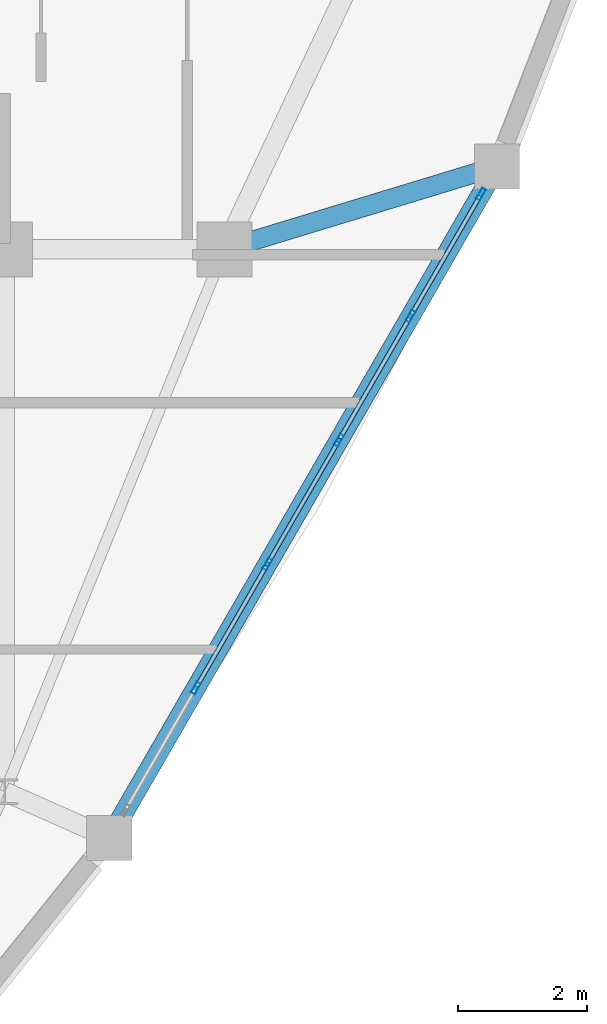
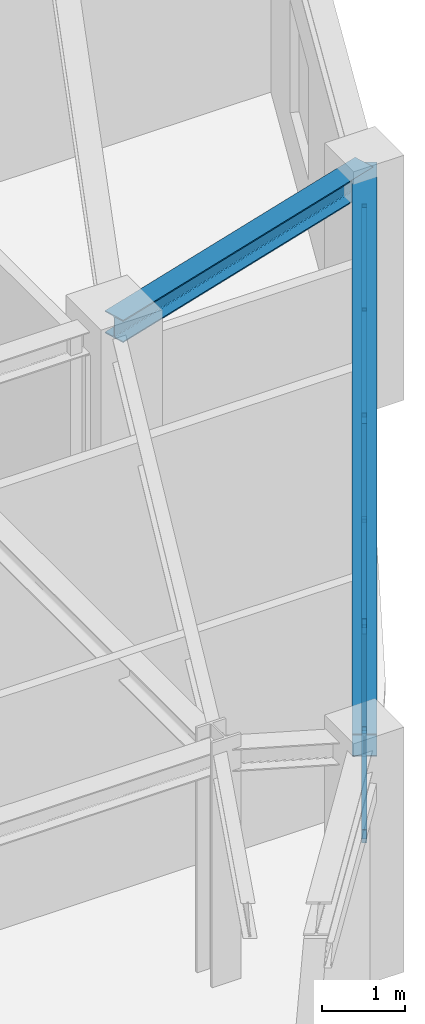
# One storey, part 7 of 15: 14 members, 2 beams, 1 element without a shape of its own.
"""IFC4 building model written with IfcOpenShell, lengths in metres."""

from ifc_helpers import new_model, si_unit, derived_unit, direction, frame, origin, origin_2d, place, context, subcontext, project, spatial, hollow_rectangle, i_section, extrude, source, transform, mapped, material, layer, layer_set, material_profile, profile_set, type_object, element, aggregate, save


model = new_model("IFC4")

# Units and contexts
model_context = context("Model", 3, precision=1e-05, world=origin(), true_north=direction((0.0, 1.0)))
body_context = subcontext(model_context, "Body", "Model", "MODEL_VIEW")
ifc_project = project(units=[si_unit("LENGTHUNIT", "METRE"), si_unit("AREAUNIT", "SQUARE_METRE"), si_unit("VOLUMEUNIT", "CUBIC_METRE"), si_unit("PLANEANGLEUNIT", "RADIAN"), si_unit("MASSUNIT", "GRAM", prefix="KILO"), derived_unit("THERMALTRANSMITTANCEUNIT", [(si_unit("POWERUNIT", "WATT"), 1), (si_unit("LENGTHUNIT", "METRE"), -2), (si_unit("THERMODYNAMICTEMPERATUREUNIT", "KELVIN"), -1)])], contexts=[model_context])

# Site, building, storey
site_placement = place(None, origin())
site = spatial("IfcSite", under=ifc_project, at=site_placement, CompositionType="ELEMENT")
building_placement = place(site_placement, origin())
building = spatial("IfcBuilding", under=site, at=building_placement, Name="Korsvarv Bourse and Concert Hall", CompositionType="ELEMENT")
storey_placement = place(building_placement, frame((0.0, 0.0, 246.60009765625)))
storey = spatial("IfcBuildingStorey", under=building, at=storey_placement, Name="L64", CompositionType="ELEMENT", Elevation=246.60009765625)

# Beams
ifc_material_1 = material(Name="Steel S355", Category="steel")
ifc_material_profile_1 = material_profile(ifc_material_1, i_section(OverallWidth=0.300048828125, OverallDepth=0.330078125, WebThickness=0.009521484375, FlangeThickness=0.0166015625, FilletRadius=0.02099609375, at=origin_2d()), Name="HEA 340")
ifc_profile_set_1 = profile_set([ifc_material_profile_1], Name="Steel S355")
beam_type = type_object("IfcBeamType", Name="BM-HEA340", PredefinedType="BEAM", material=ifc_profile_set_1)
shared_shape_1 = source(origin(), body_context, "Body", "SweptSolid", [
    extrude(i_section(OverallWidth=0.300048828125, OverallDepth=0.330078125, WebThickness=0.009521484375, FlangeThickness=0.0166015625, FilletRadius=0.02099609375, at=origin_2d()), origin(), (0.0, 0.0, 1.0), 12.0087890625),
])
beam_1_placement = place(storey_placement, frame((46.0166015625, 23.28369140625, 3.244873046875), z_axis=(0.500000506726, 0.866025111226, 0.0), x_axis=(-0.866025111226, 0.500000506726, 0.0)))
element("IfcBeam", 1, at=beam_1_placement, inside=storey, type_object=beam_type, Name="L64 beam B-12", PredefinedType="BEAM", context=body_context, shape_type="MappedRepresentation", body=[
    mapped(shared_shape_1, transform((0.0, 0.0, 0.0), scale=1.0)),
])
shared_shape_2 = source(origin(), body_context, "Body", "SweptSolid", [
    extrude(i_section(OverallWidth=0.300048828125, OverallDepth=0.330078125, WebThickness=0.009521484375, FlangeThickness=0.0166015625, FilletRadius=0.02099609375, at=origin_2d()), origin(), (0.0, 0.0, 1.0), 4.411865234375),
])
beam_2_placement = place(storey_placement, frame((52.02099609375, 33.68359375, 3.244873046875), z_axis=(-0.956733506354, -0.290965629962, 0.0), x_axis=(0.290965629962, -0.956733506354, 0.0)))
element("IfcBeam", 2, at=beam_2_placement, inside=storey, type_object=beam_type, Name="L64 beam B-12", PredefinedType="BEAM", context=body_context, shape_type="MappedRepresentation", body=[
    mapped(shared_shape_2, transform((0.0, 0.0, 0.0), scale=1.0)),
])

# Curtain wall, members
ifc_material_2 = material(Name="Anodised aluminium and triple low-E glazing", Category="glass")
ifc_layer = layer(ifc_material_2, 0.199951171875)
ifc_layer_set = layer_set([ifc_layer], Name="Anodised aluminium and triple low-E glazing")
curtain_wall_type = type_object("IfcCurtainWallType", Name="CW-SYS-3", PredefinedType="NOTDEFINED", material=ifc_layer_set)
curtain_wall_placement = place(storey_placement, origin())
curtain_wall = element("IfcCurtainWall", 3, at=curtain_wall_placement, inside=storey, type_object=curtain_wall_type, Name="L64 CW3 curtain wall CW-L64-F11", PredefinedType="NOTDEFINED")
ifc_material_3 = material(Name="Extruded aluminium EN AW-6063 T66", Category="aluminium")
ifc_material_profile_2 = material_profile(ifc_material_3, hollow_rectangle(XDim=0.06494140625, YDim=0.1650390625, WallThickness=0.0048828125, at=origin_2d()), Name="ALU-M 65x165")
ifc_profile_set_2 = profile_set([ifc_material_profile_2], Name="Extruded aluminium EN AW-6063 T66")
member_type_1 = type_object("IfcMemberType", Name="CWM-165", PredefinedType="MULLION", material=ifc_profile_set_2)
shared_shape_3 = source(origin(), body_context, "Body", "SweptSolid", [
    extrude(hollow_rectangle(XDim=0.06494140625, YDim=0.1650390625, WallThickness=0.0048828125, at=origin_2d()), origin(), (0.0, 0.0, 1.0), 3.6484375),
])
member_1_placement = place(storey_placement, frame((48.48193359375, 27.553955078125, 0.06494140625), z_axis=(0.294223355119, 0.509621349235, 0.808528724107), x_axis=(-0.866030310389, 0.499991501415, 0.0)))
member_1 = element("IfcMember", 4, at=member_1_placement, type_object=member_type_1, Name="CW3 diagonal mullion 3", PredefinedType="MULLION", context=body_context, shape_type="MappedRepresentation", body=[
    mapped(shared_shape_3, transform((0.0, 0.0, 0.0), scale=1.0)),
])
ifc_material_profile_3 = material_profile(ifc_material_3, hollow_rectangle(XDim=0.06494140625, YDim=0.139892578125, WallThickness=0.00390625, at=origin_2d()), Name="ALU-T 65x140")
ifc_profile_set_3 = profile_set([ifc_material_profile_3], Name="Extruded aluminium EN AW-6063 T66")
member_type_2 = type_object("IfcMemberType", Name="CWT-140", PredefinedType="USERDEFINED", material=ifc_profile_set_3)
shared_shape_4 = source(origin(), body_context, "Body", "SweptSolid", [
    extrude(hollow_rectangle(XDim=0.06494140625, YDim=0.139892578125, WallThickness=0.00390625, at=origin_2d()), origin(), (0.0, 0.0, 1.0), 2.11181640625),
])
member_2_placement = place(storey_placement, frame((50.698974609375, 31.39404296875, 0.032470703125), z_axis=(0.500005994294, 0.86602194295, 0.0), x_axis=(-0.86602194295, 0.500005994294, 0.0)))
member_2 = element("IfcMember", 5, at=member_2_placement, type_object=member_type_2, Name="CW3 transom 5.1", ObjectType="TRANSOM", PredefinedType="USERDEFINED", context=body_context, shape_type="MappedRepresentation", body=[
    mapped(shared_shape_4, transform((0.0, 0.0, 0.0), scale=1.0)),
])
member_3_placement = place(storey_placement, frame((50.698974609375, 31.39404296875, 3.04736328125), z_axis=(0.500005994294, 0.86602194295, 0.0), x_axis=(-0.86602194295, 0.500005994294, 0.0)))
member_3 = element("IfcMember", 6, at=member_3_placement, type_object=member_type_2, Name="CW3 transom 5.2", ObjectType="TRANSOM", PredefinedType="USERDEFINED", context=body_context, shape_type="MappedRepresentation", body=[
    mapped(shared_shape_4, transform((0.0, 0.0, 0.0), scale=1.0)),
])
shared_shape_5 = source(origin(), body_context, "Body", "SweptSolid", [
    extrude(hollow_rectangle(XDim=0.06494140625, YDim=0.139892578125, WallThickness=0.00390625, at=origin_2d()), origin(), (0.0, 0.0, 1.0), 2.14697265625),
])
member_4_placement = place(storey_placement, frame((47.37353515625, 25.634033203125, 0.032470703125), z_axis=(0.499991501415, 0.866030310389, 0.0), x_axis=(-0.866030310389, 0.499991501415, 0.0)))
member_4 = element("IfcMember", 7, at=member_4_placement, type_object=member_type_2, Name="CW3 transom 2.1", ObjectType="TRANSOM", PredefinedType="USERDEFINED", context=body_context, shape_type="MappedRepresentation", body=[
    mapped(shared_shape_5, transform((0.0, 0.0, 0.0), scale=1.0)),
])
member_5_placement = place(storey_placement, frame((47.37353515625, 25.634033203125, 3.04736328125), z_axis=(0.499991501415, 0.866030310389, 0.0), x_axis=(-0.866030310389, 0.499991501415, 0.0)))
member_5 = element("IfcMember", 8, at=member_5_placement, type_object=member_type_2, Name="CW3 transom 2.2", ObjectType="TRANSOM", PredefinedType="USERDEFINED", context=body_context, shape_type="MappedRepresentation", body=[
    mapped(shared_shape_5, transform((0.0, 0.0, 0.0), scale=1.0)),
])
member_6_placement = place(storey_placement, frame((48.48193359375, 27.553955078125, 0.032470703125), z_axis=(0.499991501415, 0.866030310389, 0.0), x_axis=(-0.866030310389, 0.499991501415, 0.0)))
member_6 = element("IfcMember", 9, at=member_6_placement, type_object=member_type_2, Name="CW3 transom 3.1", ObjectType="TRANSOM", PredefinedType="USERDEFINED", context=body_context, shape_type="MappedRepresentation", body=[
    mapped(shared_shape_5, transform((0.0, 0.0, 0.0), scale=1.0)),
])
member_7_placement = place(storey_placement, frame((48.48193359375, 27.553955078125, 3.04736328125), z_axis=(0.499991501415, 0.866030310389, 0.0), x_axis=(-0.866030310389, 0.499991501415, 0.0)))
member_7 = element("IfcMember", 10, at=member_7_placement, type_object=member_type_2, Name="CW3 transom 3.2", ObjectType="TRANSOM", PredefinedType="USERDEFINED", context=body_context, shape_type="MappedRepresentation", body=[
    mapped(shared_shape_5, transform((0.0, 0.0, 0.0), scale=1.0)),
])
member_8_placement = place(storey_placement, frame((49.590576171875, 29.473876953125, 0.032470703125), z_axis=(0.499991501415, 0.866030310389, 0.0), x_axis=(-0.866030310389, 0.499991501415, 0.0)))
member_8 = element("IfcMember", 11, at=member_8_placement, type_object=member_type_2, Name="CW3 transom 4.1", ObjectType="TRANSOM", PredefinedType="USERDEFINED", context=body_context, shape_type="MappedRepresentation", body=[
    mapped(shared_shape_5, transform((0.0, 0.0, 0.0), scale=1.0)),
])
member_9_placement = place(storey_placement, frame((49.590576171875, 29.473876953125, 3.04736328125), z_axis=(0.499991501415, 0.866030310389, 0.0), x_axis=(-0.866030310389, 0.499991501415, 0.0)))
member_9 = element("IfcMember", 12, at=member_9_placement, type_object=member_type_2, Name="CW3 transom 4.2", ObjectType="TRANSOM", PredefinedType="USERDEFINED", context=body_context, shape_type="MappedRepresentation", body=[
    mapped(shared_shape_5, transform((0.0, 0.0, 0.0), scale=1.0)),
])
ifc_material_profile_4 = material_profile(ifc_material_3, hollow_rectangle(XDim=0.070068359375, YDim=0.18994140625, WallThickness=0.0048828125, at=origin_2d()), Name="ALU-M 70x190")
ifc_profile_set_4 = profile_set([ifc_material_profile_4], Name="Extruded aluminium EN AW-6063 T66")
member_type_3 = type_object("IfcMemberType", Name="CWM-190", PredefinedType="MULLION", material=ifc_profile_set_4)
shared_shape_6 = source(origin(), body_context, "Body", "SweptSolid", [
    extrude(hollow_rectangle(XDim=0.070068359375, YDim=0.18994140625, WallThickness=0.0048828125, at=origin_2d()), origin(), (0.0, 0.0, 1.0), 3.079833984375),
])
member_10_placement = place(storey_placement, frame((47.35595703125, 25.603759765625, 0.0), z_axis=(0.0, 0.0, 1.0), x_axis=(-0.866021686907, 0.500006437765, 0.0)))
member_10 = element("IfcMember", 13, at=member_10_placement, type_object=member_type_3, Name="CW3 mullion 2", PredefinedType="MULLION", context=body_context, shape_type="MappedRepresentation", body=[
    mapped(shared_shape_6, transform((0.0, 0.0, 0.0), scale=1.0)),
])
member_11_placement = place(storey_placement, frame((48.46435546875, 27.523681640625, 0.0), z_axis=(0.0, 0.0, 1.0), x_axis=(-0.866021686907, 0.500006437765, 0.0)))
member_11 = element("IfcMember", 14, at=member_11_placement, type_object=member_type_3, Name="CW3 mullion 3", PredefinedType="MULLION", context=body_context, shape_type="MappedRepresentation", body=[
    mapped(shared_shape_6, transform((0.0, 0.0, 0.0), scale=1.0)),
])
member_12_placement = place(storey_placement, frame((49.572998046875, 29.443603515625, 0.0), z_axis=(0.0, 0.0, 1.0), x_axis=(-0.866021686907, 0.500006437765, 0.0)))
member_12 = element("IfcMember", 15, at=member_12_placement, type_object=member_type_3, Name="CW3 mullion 4", PredefinedType="MULLION", context=body_context, shape_type="MappedRepresentation", body=[
    mapped(shared_shape_6, transform((0.0, 0.0, 0.0), scale=1.0)),
])
member_13_placement = place(storey_placement, frame((50.681396484375, 31.363525390625, 0.0), z_axis=(0.0, 0.0, 1.0), x_axis=(-0.866021686907, 0.500006437765, 0.0)))
member_13 = element("IfcMember", 16, at=member_13_placement, type_object=member_type_3, Name="CW3 mullion 5", PredefinedType="MULLION", context=body_context, shape_type="MappedRepresentation", body=[
    mapped(shared_shape_6, transform((0.0, 0.0, 0.0), scale=1.0)),
])
member_14_placement = place(storey_placement, frame((51.7724609375, 33.253173828125, 0.0), z_axis=(0.0, 0.0, 1.0), x_axis=(-0.866021686907, 0.500006437765, 0.0)))
member_14 = element("IfcMember", 17, at=member_14_placement, type_object=member_type_3, Name="CW3 mullion 6", PredefinedType="MULLION", context=body_context, shape_type="MappedRepresentation", body=[
    mapped(shared_shape_6, transform((0.0, 0.0, 0.0), scale=1.0)),
])
aggregate(curtain_wall, [member_10, member_11, member_12, member_13, member_14, member_4, member_5, member_6, member_7, member_1, member_8, member_9, member_2, member_3])

save(model, "model.ifc")
